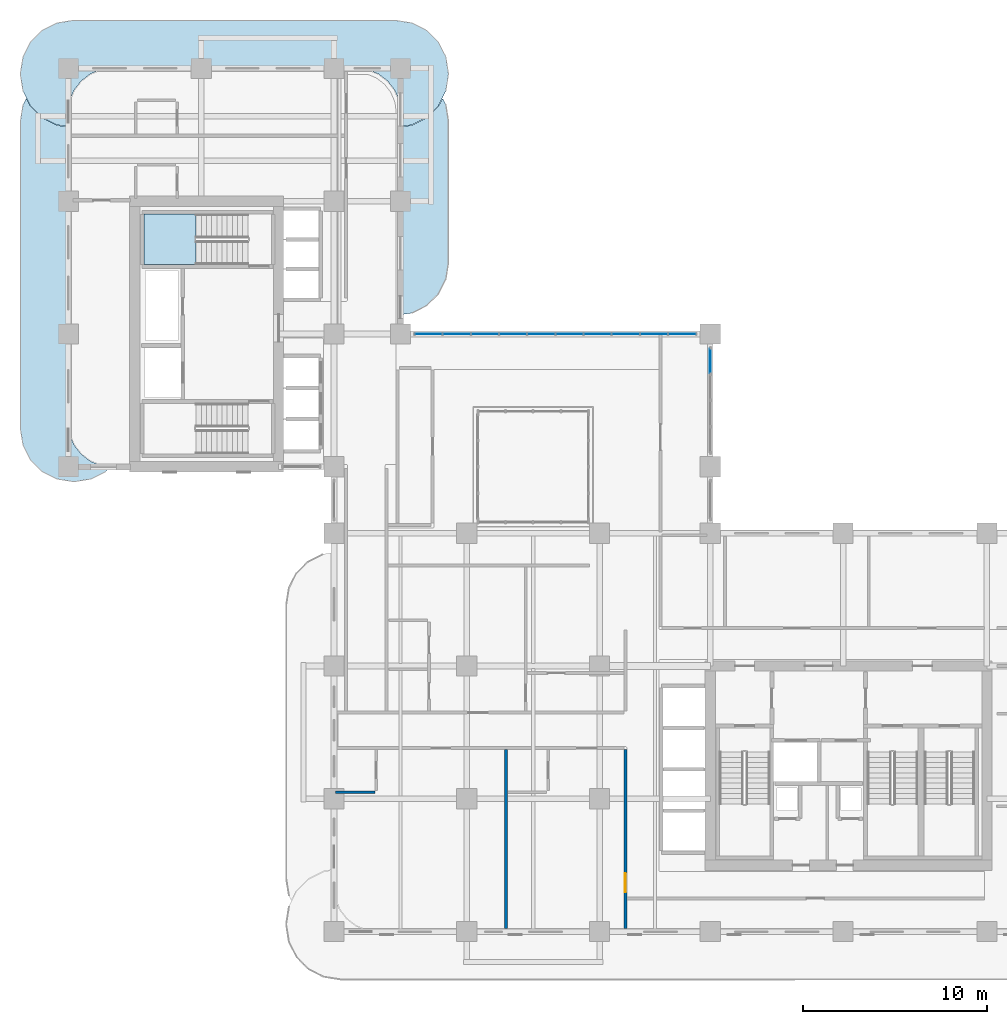
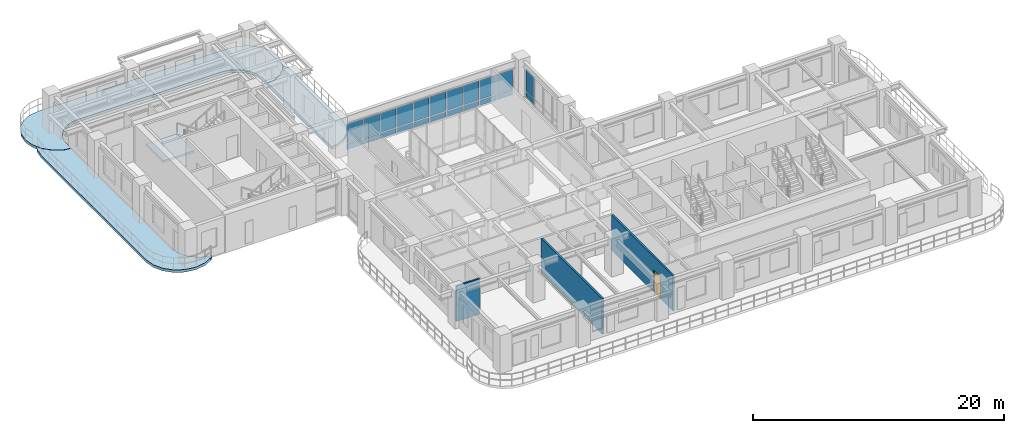
# One storey, part 11 of 22: 22 plates, 4 slabs, 3 walls, 1 door, 1 opening, 3 elements without a shape of their own.
"""IFC4 building model written with IfcOpenShell, lengths in metres."""

from ifc_helpers import new_model, si_unit, derived_unit, direction, frame, frame_2d, origin, origin_2d, place, context, subcontext, project, spatial, polyline, rectangle, outline, extrude, source, transform, mapped, material, layer, layer_set, type_object, type_shapes, element, fill, aggregate, save


model = new_model("IFC4")

# Units and contexts
model_context = context("Model", 3, precision=1e-05, world=origin(), true_north=direction((0.0, 1.0)))
body_context = subcontext(model_context, "Body", "Model", "MODEL_VIEW")
ifc_project = project(units=[si_unit("LENGTHUNIT", "METRE"), si_unit("AREAUNIT", "SQUARE_METRE"), si_unit("VOLUMEUNIT", "CUBIC_METRE"), si_unit("PLANEANGLEUNIT", "RADIAN"), si_unit("MASSUNIT", "GRAM", prefix="KILO"), si_unit("THERMODYNAMICTEMPERATUREUNIT", "KELVIN"), si_unit("POWERUNIT", "WATT"), derived_unit("THERMALTRANSMITTANCEUNIT", [(si_unit("POWERUNIT", "WATT"), 1), (si_unit("AREAUNIT", "SQUARE_METRE"), -1), (si_unit("THERMODYNAMICTEMPERATUREUNIT", "KELVIN"), -1)])], contexts=[model_context])

# Site, building, storey
site_placement = place(None, origin())
site = spatial("IfcSite", under=ifc_project, at=site_placement, CompositionType="ELEMENT")
building_placement = place(site_placement, origin())
building = spatial("IfcBuilding", under=site, at=building_placement, Name="Zahravan Archway Hotel and Residences", CompositionType="ELEMENT")
storey_placement = place(building_placement, frame((0.0, 0.0, 84.199951171875)))
storey = spatial("IfcBuildingStorey", under=building, at=storey_placement, Name="L20", CompositionType="ELEMENT", Elevation=84.199951171875)

# Slabs
ifc_material_1 = material(Name="Concrete C45/55", Category="concrete")
ifc_layer_1 = layer(ifc_material_1, 0.25, Name="Concrete C45/55", Category="concrete")
ifc_layer_set_1 = layer_set([ifc_layer_1], Name="Concrete C45/55")
slab_type_1 = type_object("IfcSlabType", Name="SLB-BALC-250", PredefinedType="FLOOR", material=ifc_layer_set_1)
slab_1_placement = place(storey_placement, frame((0.0, 0.0, -0.25)))
element("IfcSlab", 1, at=slab_1_placement, inside=storey, type_object=slab_type_1, Name="L20 Wing B North Rounded Balcony Band", PredefinedType="FLOOR", context=body_context, shape_type="SweptSolid", body=[
    extrude(outline(polyline([(-0.630615234375, 43.739501953125), (-1.42529296875, 44.144287109375), (-2.0556640625, 44.77490234375), (-2.46044921875, 45.5693359375), (-2.60009765625, 46.449951171875), (-2.60009765625, 46.550048828125), (-2.46044921875, 47.4306640625), (-2.0556640625, 48.22509765625), (-1.42529296875, 48.855712890625), (-0.630615234375, 49.260498046875), (0.25, 49.39990234375), (17.75, 49.39990234375), (18.630615234375, 49.260498046875), (19.42529296875, 48.855712890625), (20.0556640625, 48.22509765625), (20.46044921875, 47.4306640625), (20.60009765625, 46.550048828125), (20.60009765625, 46.449951171875), (20.46044921875, 45.5693359375), (20.0556640625, 44.77490234375), (19.42529296875, 44.144287109375), (18.630615234375, 43.739501953125), (18.02001953125, 43.642822265625), (18.02001953125, 44.39990234375), (18.019775390625, 44.402587890625), (17.93798828125, 45.023681640625), (17.937744140625, 45.025390625), (17.937255859375, 45.027099609375), (17.936767578125, 45.02880859375), (17.697021484375, 45.607666015625), (17.6962890625, 45.609130859375), (17.6953125, 45.610595703125), (17.6943359375, 45.6123046875), (17.31298828125, 46.109375), (17.311767578125, 46.110595703125), (17.310546875, 46.11181640625), (17.309326171875, 46.113037109375), (16.812255859375, 46.494384765625), (16.810791015625, 46.495361328125), (16.80908203125, 46.49609375), (16.8076171875, 46.4970703125), (16.22900390625, 46.73681640625), (16.227294921875, 46.7373046875), (16.2255859375, 46.73779296875), (16.223876953125, 46.738037109375), (15.6025390625, 46.81982421875), (15.60009765625, 46.820068359375), (2.39990234375, 46.820068359375), (2.3974609375, 46.81982421875), (1.776123046875, 46.738037109375), (1.7744140625, 46.73779296875), (1.772705078125, 46.7373046875), (1.77099609375, 46.73681640625), (1.1923828125, 46.4970703125), (1.19091796875, 46.49609375), (1.189208984375, 46.495361328125), (1.187744140625, 46.494384765625), (0.690673828125, 46.113037109375), (0.689453125, 46.11181640625), (0.688232421875, 46.110595703125), (0.68701171875, 46.109375), (0.3056640625, 45.6123046875), (0.3046875, 45.610595703125), (0.3037109375, 45.609130859375), (0.302978515625, 45.607666015625), (0.063232421875, 45.02880859375), (0.062744140625, 45.027099609375), (0.062255859375, 45.025390625), (0.06201171875, 45.023681640625), (-0.019775390625, 44.402587890625), (-0.02001953125, 44.39990234375), (-0.02001953125, 43.642822265625), (-0.630615234375, 43.739501953125)])), origin(), (0.0, 0.0, 1.0), 0.25),
])
slab_2_placement = place(storey_placement, frame((0.0, 0.0, -0.25)))
element("IfcSlab", 2, at=slab_2_placement, inside=storey, type_object=slab_type_1, Name="L20 Wing B West Rounded Balcony Band", PredefinedType="FLOOR", context=body_context, shape_type="SweptSolid", body=[
    extrude(outline(polyline([(2.025146484375, 24.9443359375), (1.230712890625, 24.53955078125), (0.35009765625, 24.39990234375), (0.25, 24.39990234375), (-0.630615234375, 24.53955078125), (-1.42529296875, 24.9443359375), (-2.0556640625, 25.57470703125), (-2.46044921875, 26.369384765625), (-2.60009765625, 27.25), (-2.60009765625, 43.949951171875), (-2.46044921875, 44.830810546875), (-2.28369140625, 45.177978515625), (-2.073486328125, 44.765625), (-2.072509765625, 44.763916015625), (-2.0712890625, 44.76220703125), (-2.06982421875, 44.7607421875), (-1.439208984375, 44.130126953125), (-1.437744140625, 44.12890625), (-1.43603515625, 44.12744140625), (-1.434326171875, 44.12646484375), (-0.639892578125, 43.7216796875), (-0.637939453125, 43.720703125), (-0.635986328125, 43.72021484375), (-0.6337890625, 43.7197265625), (-0.023193359375, 43.623046875), (-0.021240234375, 43.622802734375), (-0.02001953125, 43.622802734375), (-0.02001953125, 27.60009765625), (-0.019775390625, 27.597412109375), (0.06201171875, 26.976318359375), (0.062255859375, 26.974609375), (0.062744140625, 26.972900390625), (0.063232421875, 26.97119140625), (0.302978515625, 26.392333984375), (0.3037109375, 26.390869140625), (0.3046875, 26.389404296875), (0.3056640625, 26.3876953125), (0.68701171875, 25.890625), (0.688232421875, 25.889404296875), (0.689453125, 25.88818359375), (0.690673828125, 25.886962890625), (1.187744140625, 25.505615234375), (1.189208984375, 25.504638671875), (1.19091796875, 25.50390625), (1.1923828125, 25.5029296875), (1.77099609375, 25.26318359375), (1.772705078125, 25.2626953125), (1.7744140625, 25.26220703125), (1.776123046875, 25.261962890625), (2.27685546875, 25.196044921875), (2.025146484375, 24.9443359375)])), origin(), (0.0, 0.0, 1.0), 0.25),
])
slab_3_placement = place(storey_placement, frame((0.0, 0.0, -0.25)))
element("IfcSlab", 3, at=slab_3_placement, inside=storey, type_object=slab_type_1, Name="L20 Wing B East Rounded Balcony Band", PredefinedType="FLOOR", context=body_context, shape_type="SweptSolid", body=[
    extrude(outline(polyline([(20.46044921875, 44.830810546875), (20.60009765625, 43.949951171875), (20.60009765625, 36.25), (20.46044921875, 35.369384765625), (20.0556640625, 34.57470703125), (19.42529296875, 33.9443359375), (18.630615234375, 33.53955078125), (18.02001953125, 33.44287109375), (18.02001953125, 43.622802734375), (18.021240234375, 43.622802734375), (18.023193359375, 43.623046875), (18.6337890625, 43.7197265625), (18.635986328125, 43.72021484375), (18.637939453125, 43.720703125), (18.639892578125, 43.7216796875), (19.434326171875, 44.12646484375), (19.43603515625, 44.12744140625), (19.437744140625, 44.12890625), (19.439208984375, 44.130126953125), (20.06982421875, 44.7607421875), (20.0712890625, 44.76220703125), (20.072509765625, 44.763916015625), (20.073486328125, 44.765625), (20.28369140625, 45.177978515625), (20.46044921875, 44.830810546875)])), origin(), (0.0, 0.0, 1.0), 0.25),
])

# Stair, slab
ifc_material_2 = material(Name="Concrete C50/60", Category="concrete")
stair_type = type_object("IfcStairType", Name="STR-CORE-1300", PredefinedType="HALF_TURN_STAIR", material=ifc_material_2)
stair_placement = place(storey_placement, origin())
stair = element("IfcStair", 4, at=stair_placement, inside=storey, type_object=stair_type, Name="L20 Core B Exit Stair 2", PredefinedType="HALF_TURN_STAIR")
ifc_layer_2 = layer(ifc_material_2, 0.199951171875, Name="Concrete C50/60", Category="concrete")
ifc_layer_set_2 = layer_set([ifc_layer_2], Name="Concrete C50/60")
slab_type_2 = type_object("IfcSlabType", Name="SLB-LND-200", PredefinedType="LANDING", material=ifc_layer_set_2)
slab_4_placement = place(storey_placement, frame((0.0, 0.0, 1.650146484375)))
slab_4 = element("IfcSlab", 5, at=slab_4_placement, type_object=slab_type_2, Name="ST-B2 landing 1", PredefinedType="LANDING", context=body_context, shape_type="SweptSolid", body=[
    extrude(outline(polyline([(6.929931640625, 38.89990234375), (4.10009765625, 38.89990234375), (4.10009765625, 36.159912109375), (6.929931640625, 36.159912109375), (6.929931640625, 38.89990234375)])), origin(), (0.0, 0.0, 1.0), 0.199951171875),
])
aggregate(stair, [slab_4])

# Curtain wall, plates
ifc_material_3 = material(Name="Bronze-Anodized Unitised Aluminium & Low-E Glass", Category="aluminium")
ifc_layer_3 = layer(ifc_material_3, 0.179931640625, Name="Bronze-Anodized Unitised Aluminium & Low-E Glass", Category="aluminium")
ifc_layer_set_3 = layer_set([ifc_layer_3], Name="Bronze-Anodized Unitised Aluminium & Low-E Glass")
curtain_wall_type = type_object("IfcCurtainWallType", Name="CW-TWR-FEAT", PredefinedType="NOTDEFINED", material=ifc_layer_set_3)
curtain_wall_1_placement = place(storey_placement, origin())
curtain_wall_1 = element("IfcCurtainWall", 6, at=curtain_wall_1_placement, inside=storey, type_object=curtain_wall_type, Name="L20 Curtain Wall CW-L20-HNG-E-2", PredefinedType="NOTDEFINED")
ifc_material_4 = material(Name="Insulated Terracotta Spandrel Panel", Category="masonry")
ifc_layer_4 = layer(ifc_material_4, 0.0400390625, Name="Insulated Terracotta Spandrel Panel", Category="masonry")
ifc_layer_set_4 = layer_set([ifc_layer_4], Name="Insulated Terracotta Spandrel Panel")
plate_type_1 = type_object("IfcPlateType", Name="CWP-SPN-40", PredefinedType="SHEET", material=ifc_layer_set_4)
shared_shape_1 = source(origin(), body_context, "Body", "SweptSolid", [
    extrude(rectangle(XDim=1.340087890625, YDim=0.0400390625, at=origin_2d()), origin(), (0.0, 0.0, 1.0), 0.552490234375),
])
plate_1_placement = place(storey_placement, frame((34.800048828125, 30.929931640625, 0.10009765625), z_axis=(0.0, 0.0, 1.0), x_axis=(0.0, 1.0, 0.0)))
plate_1 = element("IfcPlate", 7, at=plate_1_placement, type_object=plate_type_1, Name="CW-L20-HNG-E-2 Spandrel Panel 3", PredefinedType="SHEET", context=body_context, shape_type="MappedRepresentation", body=[
    mapped(shared_shape_1, transform((0.0, 0.0, 0.0), scale=1.0)),
])
ifc_material_5 = material(Name="Double-Silver Low-E Insulated Vision Glass", Category="glass")
ifc_layer_5 = layer(ifc_material_5, 0.028076171875, Name="Double-Silver Low-E Insulated Vision Glass", Category="glass")
ifc_layer_set_5 = layer_set([ifc_layer_5], Name="Double-Silver Low-E Insulated Vision Glass")
plate_type_2 = type_object("IfcPlateType", Name="CWP-GLZ-28", PredefinedType="CURTAIN_PANEL", material=ifc_layer_set_5)
shared_shape_2 = source(origin(), body_context, "Body", "SweptSolid", [
    extrude(rectangle(XDim=1.340087890625, YDim=0.028076171875, at=origin_2d()), origin(), (0.0, 0.0, 1.0), 2.052490234375),
])
plate_2_placement = place(storey_placement, frame((34.800048828125, 30.929931640625, 0.732421875), z_axis=(0.0, 0.0, 1.0), x_axis=(0.0, 1.0, 0.0)))
plate_2 = element("IfcPlate", 8, at=plate_2_placement, type_object=plate_type_2, Name="CW-L20-HNG-E-2 Low-E Vision Panel 3", PredefinedType="CURTAIN_PANEL", context=body_context, shape_type="MappedRepresentation", body=[
    mapped(shared_shape_2, transform((0.0, 0.0, 0.0), scale=1.0)),
])
aggregate(curtain_wall_1, [plate_1, plate_2])

curtain_wall_2_placement = place(storey_placement, origin())
curtain_wall_2 = element("IfcCurtainWall", 9, at=curtain_wall_2_placement, inside=storey, type_object=curtain_wall_type, Name="L20 Curtain Wall CW-L20-HNG-N-1", PredefinedType="NOTDEFINED")
shared_shape_3 = source(origin(), body_context, "Body", "SweptSolid", [
    extrude(rectangle(XDim=1.447998046875, YDim=0.0400390625, at=origin_2d()), origin(), (0.0, 0.0, 1.0), 0.492431640625),
])
plate_3_placement = place(storey_placement, frame((19.52392578125, 32.39990234375, 0.10009765625), z_axis=(0.0, 0.0, 1.0), x_axis=(1.0, 0.0, 0.0)))
plate_3 = element("IfcPlate", 10, at=plate_3_placement, type_object=plate_type_1, Name="CW-L20-HNG-N-1 Spandrel Panel 0", PredefinedType="SHEET", context=body_context, shape_type="MappedRepresentation", body=[
    mapped(shared_shape_3, transform((0.0, 0.0, 0.0), scale=1.0)),
])
plate_4_placement = place(storey_placement, frame((21.052001953125, 32.39990234375, 0.10009765625), z_axis=(0.0, 0.0, 1.0), x_axis=(1.0, 0.0, 0.0)))
plate_4 = element("IfcPlate", 11, at=plate_4_placement, type_object=plate_type_1, Name="CW-L20-HNG-N-1 Spandrel Panel 1", PredefinedType="SHEET", context=body_context, shape_type="MappedRepresentation", body=[
    mapped(shared_shape_3, transform((0.0, 0.0, 0.0), scale=1.0)),
])
plate_5_placement = place(storey_placement, frame((22.580078125, 32.39990234375, 0.10009765625), z_axis=(0.0, 0.0, 1.0), x_axis=(1.0, 0.0, 0.0)))
plate_5 = element("IfcPlate", 12, at=plate_5_placement, type_object=plate_type_1, Name="CW-L20-HNG-N-1 Spandrel Panel 2", PredefinedType="SHEET", context=body_context, shape_type="MappedRepresentation", body=[
    mapped(shared_shape_3, transform((0.0, 0.0, 0.0), scale=1.0)),
])
plate_6_placement = place(storey_placement, frame((24.10791015625, 32.39990234375, 0.10009765625), z_axis=(0.0, 0.0, 1.0), x_axis=(1.0, 0.0, 0.0)))
plate_6 = element("IfcPlate", 13, at=plate_6_placement, type_object=plate_type_1, Name="CW-L20-HNG-N-1 Spandrel Panel 3", PredefinedType="SHEET", context=body_context, shape_type="MappedRepresentation", body=[
    mapped(shared_shape_3, transform((0.0, 0.0, 0.0), scale=1.0)),
])
plate_7_placement = place(storey_placement, frame((25.635986328125, 32.39990234375, 0.10009765625), z_axis=(0.0, 0.0, 1.0), x_axis=(1.0, 0.0, 0.0)))
plate_7 = element("IfcPlate", 14, at=plate_7_placement, type_object=plate_type_1, Name="CW-L20-HNG-N-1 Spandrel Panel 4", PredefinedType="SHEET", context=body_context, shape_type="MappedRepresentation", body=[
    mapped(shared_shape_3, transform((0.0, 0.0, 0.0), scale=1.0)),
])
plate_8_placement = place(storey_placement, frame((27.1640625, 32.39990234375, 0.10009765625), z_axis=(0.0, 0.0, 1.0), x_axis=(1.0, 0.0, 0.0)))
plate_8 = element("IfcPlate", 15, at=plate_8_placement, type_object=plate_type_1, Name="CW-L20-HNG-N-1 Spandrel Panel 5", PredefinedType="SHEET", context=body_context, shape_type="MappedRepresentation", body=[
    mapped(shared_shape_3, transform((0.0, 0.0, 0.0), scale=1.0)),
])
plate_9_placement = place(storey_placement, frame((28.69189453125, 32.39990234375, 0.10009765625), z_axis=(0.0, 0.0, 1.0), x_axis=(1.0, 0.0, 0.0)))
plate_9 = element("IfcPlate", 16, at=plate_9_placement, type_object=plate_type_1, Name="CW-L20-HNG-N-1 Spandrel Panel 6", PredefinedType="SHEET", context=body_context, shape_type="MappedRepresentation", body=[
    mapped(shared_shape_3, transform((0.0, 0.0, 0.0), scale=1.0)),
])
plate_10_placement = place(storey_placement, frame((30.219970703125, 32.39990234375, 0.10009765625), z_axis=(0.0, 0.0, 1.0), x_axis=(1.0, 0.0, 0.0)))
plate_10 = element("IfcPlate", 17, at=plate_10_placement, type_object=plate_type_1, Name="CW-L20-HNG-N-1 Spandrel Panel 7", PredefinedType="SHEET", context=body_context, shape_type="MappedRepresentation", body=[
    mapped(shared_shape_3, transform((0.0, 0.0, 0.0), scale=1.0)),
])
plate_11_placement = place(storey_placement, frame((31.748046875, 32.39990234375, 0.10009765625), z_axis=(0.0, 0.0, 1.0), x_axis=(1.0, 0.0, 0.0)))
plate_11 = element("IfcPlate", 18, at=plate_11_placement, type_object=plate_type_1, Name="CW-L20-HNG-N-1 Spandrel Panel 8", PredefinedType="SHEET", context=body_context, shape_type="MappedRepresentation", body=[
    mapped(shared_shape_3, transform((0.0, 0.0, 0.0), scale=1.0)),
])
plate_12_placement = place(storey_placement, frame((33.27587890625, 32.39990234375, 0.10009765625), z_axis=(0.0, 0.0, 1.0), x_axis=(1.0, 0.0, 0.0)))
plate_12 = element("IfcPlate", 19, at=plate_12_placement, type_object=plate_type_1, Name="CW-L20-HNG-N-1 Spandrel Panel 9", PredefinedType="SHEET", context=body_context, shape_type="MappedRepresentation", body=[
    mapped(shared_shape_3, transform((0.0, 0.0, 0.0), scale=1.0)),
])
shared_shape_4 = source(origin(), body_context, "Body", "SweptSolid", [
    extrude(rectangle(XDim=1.447998046875, YDim=0.028076171875, at=origin_2d()), origin(), (0.0, 0.0, 1.0), 1.862548828125),
])
plate_13_placement = place(storey_placement, frame((19.52392578125, 32.39990234375, 0.67236328125), z_axis=(0.0, 0.0, 1.0), x_axis=(1.0, 0.0, 0.0)))
plate_13 = element("IfcPlate", 20, at=plate_13_placement, type_object=plate_type_2, Name="CW-L20-HNG-N-1 Low-E Vision Panel 0", PredefinedType="CURTAIN_PANEL", context=body_context, shape_type="MappedRepresentation", body=[
    mapped(shared_shape_4, transform((0.0, 0.0, 0.0), scale=1.0)),
])
plate_14_placement = place(storey_placement, frame((21.052001953125, 32.39990234375, 0.67236328125), z_axis=(0.0, 0.0, 1.0), x_axis=(1.0, 0.0, 0.0)))
plate_14 = element("IfcPlate", 21, at=plate_14_placement, type_object=plate_type_2, Name="CW-L20-HNG-N-1 Low-E Vision Panel 1", PredefinedType="CURTAIN_PANEL", context=body_context, shape_type="MappedRepresentation", body=[
    mapped(shared_shape_4, transform((0.0, 0.0, 0.0), scale=1.0)),
])
plate_15_placement = place(storey_placement, frame((22.580078125, 32.39990234375, 0.67236328125), z_axis=(0.0, 0.0, 1.0), x_axis=(1.0, 0.0, 0.0)))
plate_15 = element("IfcPlate", 22, at=plate_15_placement, type_object=plate_type_2, Name="CW-L20-HNG-N-1 Low-E Vision Panel 2", PredefinedType="CURTAIN_PANEL", context=body_context, shape_type="MappedRepresentation", body=[
    mapped(shared_shape_4, transform((0.0, 0.0, 0.0), scale=1.0)),
])
plate_16_placement = place(storey_placement, frame((24.10791015625, 32.39990234375, 0.67236328125), z_axis=(0.0, 0.0, 1.0), x_axis=(1.0, 0.0, 0.0)))
plate_16 = element("IfcPlate", 23, at=plate_16_placement, type_object=plate_type_2, Name="CW-L20-HNG-N-1 Low-E Vision Panel 3", PredefinedType="CURTAIN_PANEL", context=body_context, shape_type="MappedRepresentation", body=[
    mapped(shared_shape_4, transform((0.0, 0.0, 0.0), scale=1.0)),
])
plate_17_placement = place(storey_placement, frame((25.635986328125, 32.39990234375, 0.67236328125), z_axis=(0.0, 0.0, 1.0), x_axis=(1.0, 0.0, 0.0)))
plate_17 = element("IfcPlate", 24, at=plate_17_placement, type_object=plate_type_2, Name="CW-L20-HNG-N-1 Low-E Vision Panel 4", PredefinedType="CURTAIN_PANEL", context=body_context, shape_type="MappedRepresentation", body=[
    mapped(shared_shape_4, transform((0.0, 0.0, 0.0), scale=1.0)),
])
plate_18_placement = place(storey_placement, frame((27.1640625, 32.39990234375, 0.67236328125), z_axis=(0.0, 0.0, 1.0), x_axis=(1.0, 0.0, 0.0)))
plate_18 = element("IfcPlate", 25, at=plate_18_placement, type_object=plate_type_2, Name="CW-L20-HNG-N-1 Low-E Vision Panel 5", PredefinedType="CURTAIN_PANEL", context=body_context, shape_type="MappedRepresentation", body=[
    mapped(shared_shape_4, transform((0.0, 0.0, 0.0), scale=1.0)),
])
plate_19_placement = place(storey_placement, frame((28.69189453125, 32.39990234375, 0.67236328125), z_axis=(0.0, 0.0, 1.0), x_axis=(1.0, 0.0, 0.0)))
plate_19 = element("IfcPlate", 26, at=plate_19_placement, type_object=plate_type_2, Name="CW-L20-HNG-N-1 Low-E Vision Panel 6", PredefinedType="CURTAIN_PANEL", context=body_context, shape_type="MappedRepresentation", body=[
    mapped(shared_shape_4, transform((0.0, 0.0, 0.0), scale=1.0)),
])
plate_20_placement = place(storey_placement, frame((30.219970703125, 32.39990234375, 0.67236328125), z_axis=(0.0, 0.0, 1.0), x_axis=(1.0, 0.0, 0.0)))
plate_20 = element("IfcPlate", 27, at=plate_20_placement, type_object=plate_type_2, Name="CW-L20-HNG-N-1 Low-E Vision Panel 7", PredefinedType="CURTAIN_PANEL", context=body_context, shape_type="MappedRepresentation", body=[
    mapped(shared_shape_4, transform((0.0, 0.0, 0.0), scale=1.0)),
])
plate_21_placement = place(storey_placement, frame((31.748046875, 32.39990234375, 0.67236328125), z_axis=(0.0, 0.0, 1.0), x_axis=(1.0, 0.0, 0.0)))
plate_21 = element("IfcPlate", 28, at=plate_21_placement, type_object=plate_type_2, Name="CW-L20-HNG-N-1 Low-E Vision Panel 8", PredefinedType="CURTAIN_PANEL", context=body_context, shape_type="MappedRepresentation", body=[
    mapped(shared_shape_4, transform((0.0, 0.0, 0.0), scale=1.0)),
])
plate_22_placement = place(storey_placement, frame((33.27587890625, 32.39990234375, 0.67236328125), z_axis=(0.0, 0.0, 1.0), x_axis=(1.0, 0.0, 0.0)))
plate_22 = element("IfcPlate", 29, at=plate_22_placement, type_object=plate_type_2, Name="CW-L20-HNG-N-1 Low-E Vision Panel 9", PredefinedType="CURTAIN_PANEL", context=body_context, shape_type="MappedRepresentation", body=[
    mapped(shared_shape_4, transform((0.0, 0.0, 0.0), scale=1.0)),
])
aggregate(curtain_wall_2, [plate_3, plate_13, plate_4, plate_14, plate_5, plate_15, plate_6, plate_16, plate_7, plate_17, plate_8, plate_18, plate_9, plate_19, plate_10, plate_20, plate_11, plate_21, plate_12, plate_22])

# Wall, opening, door
ifc_material_6 = material(Name="Fire-Rated Gypsum & Concrete Block", Category="concrete")
ifc_layer_6 = layer(ifc_material_6, 0.159912109375, Name="Fire-Rated Gypsum & Concrete Block", Category="concrete")
ifc_layer_set_6 = layer_set([ifc_layer_6], Name="Fire-Rated Gypsum & Concrete Block")
wall_type_1 = type_object("IfcWallType", Name="PW-CORR-160", PredefinedType="PARTITIONING", material=ifc_layer_set_6)
wall_1_placement = place(storey_placement, frame((30.199951171875, 0.16796875, 0.0), z_axis=(0.0, 0.0, 1.0), x_axis=(0.0, 1.0, 0.0)))
wall_1 = element("IfcWall", 30, at=wall_1_placement, inside=storey, type_object=wall_type_1, Name="L20 Partition WA-SRW", PredefinedType="PARTITIONING", context=body_context, shape_type="SweptSolid", body=[
    extrude(rectangle(XDim=9.692138671875, YDim=0.159912109375, at=frame_2d((4.84619140625, 0.0))), origin(), (0.0, 0.0, 1.0), 3.449951171875),
])
opening_placement = place(wall_1_placement, frame((1.95703125, 0.0, 0.0)))
opening = element("IfcOpeningElement", 31, at=opening_placement, cuts=wall_1, Name="Opening FD-L2", PredefinedType="OPENING", context=body_context, shape_type="SweptSolid", body=[
    extrude(rectangle(XDim=1.050048828125, YDim=2.14990234375, at=frame_2d((0.52490234375, 1.074951171875))), frame((0.0, 0.08984375, 0.0), z_axis=(0.0, -1.0, 0.0), x_axis=(1.0, 0.0, 0.0)), (0.0, 0.0, 1.0), 0.179931640625),
])
ifc_material_7 = material(Name="Fire-Rated Painted Steel", Category="steel")
door_type = type_object("IfcDoorType", Name="FD-LOBBY-1100", OperationType="NOTDEFINED", PredefinedType="DOOR", material=ifc_material_7)
shared_shape_5 = source(origin(), body_context, "Body", "SweptSolid", [
    extrude(rectangle(XDim=1.050048828125, YDim=2.14990234375, at=frame_2d((0.52490234375, 1.074951171875))), frame((0.0, 0.02490234375, 0.0), z_axis=(0.0, -1.0, 0.0), x_axis=(1.0, 0.0, 0.0)), (0.0, 0.0, 1.0), 0.050048828125),
])
type_shapes(door_type, [shared_shape_5])
door_placement = place(opening_placement, origin())
door = element("IfcDoor", 32, at=door_placement, inside=storey, type_object=door_type, Name="L20 South Riser Corridor Door", OperationType="SINGLE_SWING_RIGHT", OverallHeight=2.14990234375, OverallWidth=1.050048828125, PredefinedType="DOOR", context=body_context, shape_type="MappedRepresentation", body=[
    mapped(shared_shape_5, transform((0.0, 0.0, 0.0), scale=1.0)),
])
fill(opening, door)

# Walls
ifc_material_8 = material(Name="Acoustic Stud Partition")
ifc_layer_7 = layer(ifc_material_8, 0.169921875, Name="Acoustic Stud Partition")
ifc_layer_set_7 = layer_set([ifc_layer_7], Name="Acoustic Stud Partition")
wall_type_2 = type_object("IfcWallType", Name="PW-UNIT-170", PredefinedType="PARTITIONING", material=ifc_layer_set_7)
wall_2_placement = place(storey_placement, frame((23.719970703125, 0.16796875, 0.0), z_axis=(0.0, 0.0, 1.0), x_axis=(0.0, 1.0, 0.0)))
element("IfcWall", 33, at=wall_2_placement, inside=storey, type_object=wall_type_2, Name="L20 Partition WAS-1M", PredefinedType="PARTITIONING", context=body_context, shape_type="SweptSolid", body=[
    extrude(rectangle(XDim=9.692138671875, YDim=0.169921875, at=frame_2d((4.84619140625, 0.0))), origin(), (0.0, 0.0, 1.0), 3.449951171875),
])
ifc_material_9 = material(Name="Moisture-Resistant Blockwork", Category="masonry")
ifc_layer_8 = layer(ifc_material_9, 0.139892578125, Name="Moisture-Resistant Blockwork", Category="masonry")
ifc_layer_set_8 = layer_set([ifc_layer_8], Name="Moisture-Resistant Blockwork")
wall_type_3 = type_object("IfcWallType", Name="PW-WET-140", PredefinedType="PARTITIONING", material=ifc_layer_set_8)
wall_3_placement = place(storey_placement, frame((14.489990234375, 7.550048828125, 0.0), z_axis=(0.0, 0.0, 1.0), x_axis=(1.0, 0.0, 0.0)))
element("IfcWall", 34, at=wall_3_placement, inside=storey, type_object=wall_type_3, Name="L20 Partition HKB-H11", PredefinedType="PARTITIONING", context=body_context, shape_type="SweptSolid", body=[
    extrude(rectangle(XDim=2.1201171875, YDim=0.139892578125, at=frame_2d((1.06005859375, 0.0))), origin(), (0.0, 0.0, 1.0), 3.449951171875),
])

save(model, "model.ifc")
